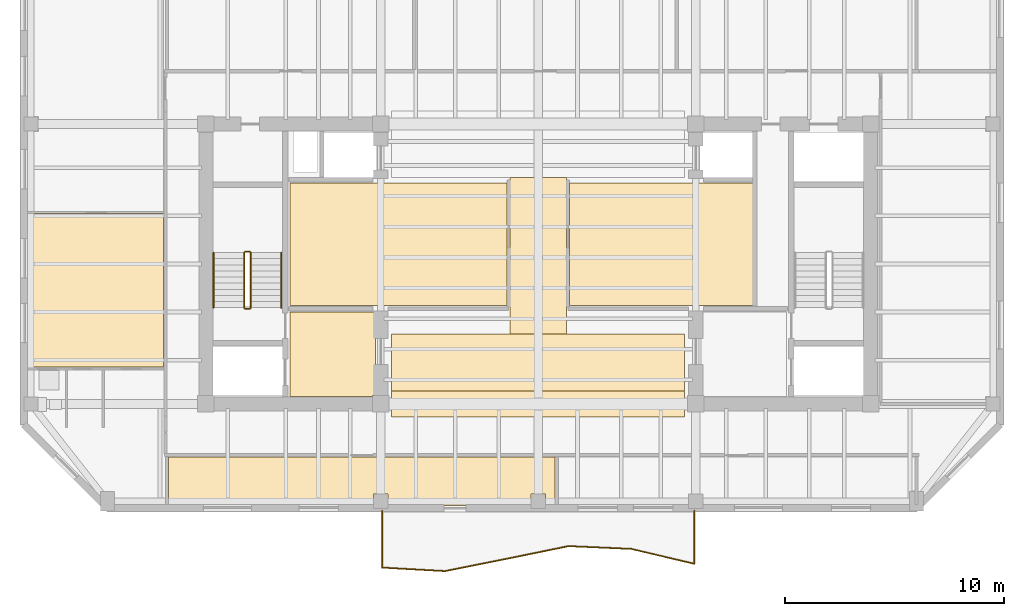
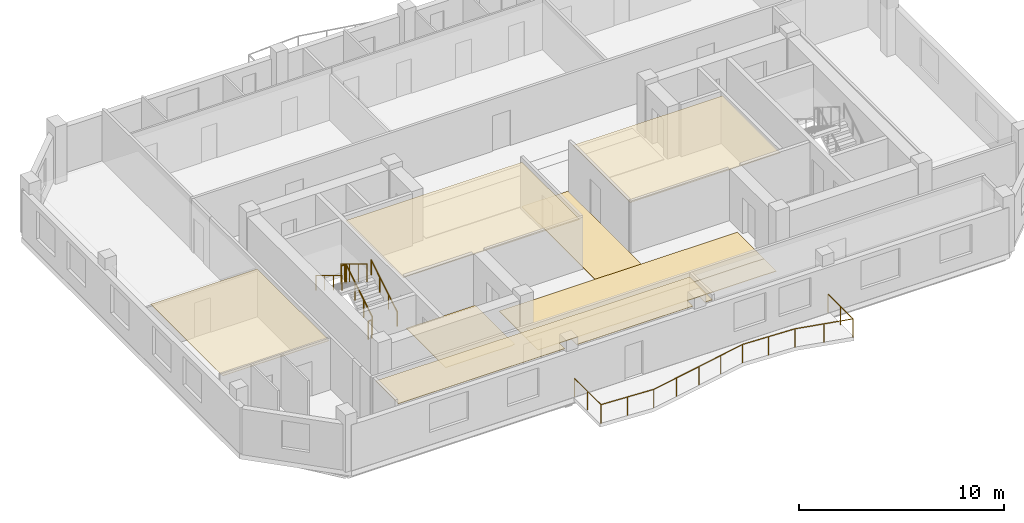
# One storey, part 7 of 10: 8 coverings, 7 railings.
"""IFC4 building model written with IfcOpenShell, lengths in metres."""

import ifcopenshell
import ifcopenshell.guid

model = None  # the IFC model being written
_history = None  # IfcOwnerHistory: only IFC2X3 demands one
_inside = {}  # id of a spatial element -> (the spatial element, [elements in it])
_under = {}  # id of a project, library or spatial element -> (it, [spatial elements below it])
_declared = {}  # id of a project -> (the project, [libraries it declares])
_typed = {}  # id of a type object -> (the type object, [elements of that type])
_made_of = {}  # id of a material, layer set ... -> (it, [elements and type objects made of it])


def new_model(schema):
    """Start an empty IFC model of exactly this schema.

    Asked for "IFC4X3", IfcOpenShell would pick the latest addendum, in which some entities
    have other attributes; the version numbers below select the first issue.
    IFC2X3 requires an IfcOwnerHistory on every rooted entity: one is made here for all.
    """
    global model, _history
    if schema == "IFC4X3":
        model = ifcopenshell.file(schema_version=(4, 3, 0, 0))
    else:
        model = ifcopenshell.file(schema=schema)
    _inside.clear()
    _under.clear()
    _declared.clear()
    _typed.clear()
    _made_of.clear()
    _history = None
    if model.schema == "IFC2X3":
        org = make("IfcOrganization", Name="unknown")
        user = make(
            "IfcPersonAndOrganization",
            ThePerson=make("IfcPerson", FamilyName="unknown"),
            TheOrganization=org,
        )
        app = make(
            "IfcApplication",
            ApplicationDeveloper=org,
            Version="unknown",
            ApplicationFullName="unknown",
            ApplicationIdentifier="unknown",
        )
        _history = make(
            "IfcOwnerHistory",
            OwningUser=user,
            OwningApplication=app,
            ChangeAction="ADDED",
            CreationDate=0,
        )
    return model


def make(cls, **values):
    """One entity of the class cls with the attributes given. An attribute that is None is left unset."""
    return model.create_entity(
        cls, **{name: value for name, value in values.items() if value is not None}
    )


def rooted(cls, **values):
    """An entity with a GlobalId (a new one), such as an element, a storey or a relation."""
    return make(cls, GlobalId=ifcopenshell.guid.new(), OwnerHistory=_history, **values)


def si_unit(unit_type, name, prefix=None):
    """IfcSIUnit, for example si_unit("LENGTHUNIT", "METRE", prefix="MILLI")."""
    return make("IfcSIUnit", UnitType=unit_type, Prefix=prefix, Name=name)


def assignment(units):
    """IfcUnitAssignment: the units of a project."""
    return None if units is None else make("IfcUnitAssignment", Units=units)


def point(xyz):
    """IfcCartesianPoint."""
    return None if xyz is None else make("IfcCartesianPoint", Coordinates=xyz)


def direction(xyz):
    """IfcDirection."""
    return None if xyz is None else make("IfcDirection", DirectionRatios=xyz)


def frame(location, z_axis=None, x_axis=None):
    """IfcAxis2Placement3D, a coordinate frame: its origin and axes. An axis left out is left unset."""
    return make(
        "IfcAxis2Placement3D",
        Location=point(location),
        Axis=direction(z_axis),
        RefDirection=direction(x_axis),
    )


def frame_2d(location, x_axis=None):
    """IfcAxis2Placement2D, a coordinate frame in the plane: its origin and x axis."""
    return make(
        "IfcAxis2Placement2D", Location=point(location), RefDirection=direction(x_axis)
    )


def origin():
    """The frame at (0, 0, 0) with its axes left unset."""
    return frame((0.0, 0.0, 0.0))


def origin_2d():
    """The frame at (0, 0) in the plane with its x axis left unset."""
    return frame_2d((0.0, 0.0))


def place(relative_to, where):
    """IfcLocalPlacement: puts the frame where relative to a parent placement (None: the world)."""
    return make(
        "IfcLocalPlacement", PlacementRelTo=relative_to, RelativePlacement=where
    )


def context(
    kind, dimensions, precision=None, world=None, true_north=None, identifier=None
):
    """IfcGeometricRepresentationContext, for example the 3D "Model" context."""
    return make(
        "IfcGeometricRepresentationContext",
        ContextIdentifier=identifier,
        ContextType=kind,
        CoordinateSpaceDimension=dimensions,
        Precision=precision,
        WorldCoordinateSystem=world,
        TrueNorth=true_north,
    )


def subcontext(parent, identifier, kind, view, scale=None):
    """IfcGeometricRepresentationSubContext, for example "Body" below "Model"."""
    return make(
        "IfcGeometricRepresentationSubContext",
        ContextIdentifier=identifier,
        ContextType=kind,
        ParentContext=parent,
        TargetScale=scale,
        TargetView=view,
    )


def project(units=None, contexts=None):
    """IfcProject with its units and contexts."""
    return rooted(
        "IfcProject",
        Name="project",
        RepresentationContexts=contexts,
        UnitsInContext=assignment(units),
    )


def spatial(cls, under=None, at=None, **own):
    """A site, building, storey or space (cls), placed at a placement, below another one or the project."""
    s = rooted(cls, ObjectPlacement=at, **own)
    if under is not None:
        _under.setdefault(under.id(), (under, []))[1].append(s)
    return s


def polyline(points):
    """IfcPolyline through the points."""
    return make("IfcPolyline", Points=[point(p) for p in points])


def profile(cls, at=None, kind="AREA", **sizes):
    """A parametric profile (cls). Its sizes go by their IFC names, for example OverallWidth=200.0."""
    return make(cls, ProfileType=kind, Position=at, **sizes)


def circle(**sizes):
    """IfcCircleProfileDef."""
    return profile("IfcCircleProfileDef", **sizes)


def outline(outer, holes=None, kind="AREA"):
    """IfcArbitraryClosedProfileDef: a profile drawn as a closed curve; with holes, ...WithVoids."""
    if holes is None:
        return make("IfcArbitraryClosedProfileDef", ProfileType=kind, OuterCurve=outer)
    return make(
        "IfcArbitraryProfileDefWithVoids",
        ProfileType=kind,
        OuterCurve=outer,
        InnerCurves=holes,
    )


def extrude(swept, where, along, depth):
    """IfcExtrudedAreaSolid: the profile swept, set in the frame where, extruded along a direction by depth."""
    return make(
        "IfcExtrudedAreaSolid",
        SweptArea=swept,
        Position=where,
        ExtrudedDirection=direction(along),
        Depth=depth,
    )


def shape(context_of_items, identifier, shape_type, items):
    """IfcShapeRepresentation: the items that make up one representation, for example the "Body"."""
    return make(
        "IfcShapeRepresentation",
        ContextOfItems=context_of_items,
        RepresentationIdentifier=identifier,
        RepresentationType=shape_type,
        Items=items,
    )


def material(Name=None, Category=None):
    """IfcMaterial."""
    return make("IfcMaterial", Name=Name, Category=Category)


def layer(
    of_material, thickness, ventilated=None, Name=None, Category=None, Priority=None
):
    """IfcMaterialLayer: one layer of a wall or slab, of a material (None: an air gap)."""
    return make(
        "IfcMaterialLayer",
        Material=of_material,
        LayerThickness=thickness,
        IsVentilated=ventilated,
        Name=Name,
        Category=Category,
        Priority=Priority,
    )


def layer_set(layers, Name=None):
    """IfcMaterialLayerSet."""
    return make("IfcMaterialLayerSet", MaterialLayers=layers, LayerSetName=Name)


def made_of(thing, what):
    """Note that an element or type object is made of a material, layer set ...; save() writes the relation."""
    if what is not None:
        _made_of.setdefault(what.id(), (what, []))[1].append(thing)
    return thing


def type_object(cls, material=None, **own):
    """A type object (cls), such as IfcWallType, which elements share."""
    return made_of(rooted(cls, **own), material)


def element(
    cls,
    number,
    at=None,
    inside=None,
    cuts=None,
    type_object=None,
    material=None,
    context=None,
    identifier="Body",
    shape_type=None,
    held_by="IfcProductDefinitionShape",
    body=None,
    shapes=None,
    **own,
):
    """One element of the class cls, such as IfcWall. Its Tag is "e" and its number.

    at: its placement. inside: the storey or other place that contains it. cuts: it is an
    opening in that element (IfcRelVoidsElement). A single representation is given by context,
    identifier, shape_type and body (its items); several are given by shapes. held_by: the class
    of the entity that holds the representations. save() writes the other relations.
    """
    e = rooted(cls, Tag="e%d" % number, ObjectPlacement=at, **own)
    if body is not None:
        shapes = [shape(context, identifier, shape_type, body)]
    if shapes is not None:
        e.Representation = make(held_by, Representations=shapes)
    if inside is not None:
        _inside.setdefault(inside.id(), (inside, []))[1].append(e)
    if cuts is not None:
        rooted(
            "IfcRelVoidsElement", RelatingBuildingElement=cuts, RelatedOpeningElement=e
        )
    if type_object is not None:
        _typed.setdefault(type_object.id(), (type_object, []))[1].append(e)
    return made_of(e, material)


def aggregate(whole, parts):
    """IfcRelAggregates: a whole, such as a stair, and the parts it consists of."""
    return rooted("IfcRelAggregates", RelatingObject=whole, RelatedObjects=parts)


def save(model, path):
    """Write the relations noted so far, then the file.

    IfcRelAggregates (storeys below a building ...), IfcRelContainedInSpatialStructure (elements
    in a storey), IfcRelDefinesByType, IfcRelAssociatesMaterial and IfcRelDeclares: one each for
    every whole, place, type object, material and project.
    """
    for whole, parts in _under.values():
        aggregate(whole, parts)
    for where, things in _inside.values():
        rooted(
            "IfcRelContainedInSpatialStructure",
            RelatedElements=things,
            RelatingStructure=where,
        )
    for kind, things in _typed.values():
        rooted("IfcRelDefinesByType", RelatedObjects=things, RelatingType=kind)
    for what, things in _made_of.values():
        rooted("IfcRelAssociatesMaterial", RelatedObjects=things, RelatingMaterial=what)
    for by, libraries in _declared.values():
        rooted("IfcRelDeclares", RelatingContext=by, RelatedDefinitions=libraries)
    model.write(path)


model = new_model("IFC4")

# Units and contexts
model_context = context("Model", 3, precision=1e-05, world=origin(), true_north=direction((0.0, 1.0)))
body_context = subcontext(model_context, "Body", "Model", "MODEL_VIEW")
ifc_project = project(units=[si_unit("LENGTHUNIT", "METRE"), si_unit("AREAUNIT", "SQUARE_METRE"), si_unit("VOLUMEUNIT", "CUBIC_METRE"), si_unit("PLANEANGLEUNIT", "RADIAN"), si_unit("MASSUNIT", "GRAM", prefix="KILO")], contexts=[model_context])

# Site, building, storey
site_placement = place(None, origin())
site = spatial("IfcSite", under=ifc_project, at=site_placement, CompositionType="ELEMENT")
building_placement = place(site_placement, origin())
building = spatial("IfcBuilding", under=site, at=building_placement, Name="Kranthara Brick Stack", CompositionType="ELEMENT")
storey_placement = place(building_placement, frame((0.0, 0.0, 272.10009765625)))
storey = spatial("IfcBuildingStorey", under=building, at=storey_placement, Name="L72", CompositionType="ELEMENT", Elevation=272.10009765625)

# Coverings
ifc_material_1 = material(Name="Perforated mineral-fibre acoustic ceiling tile", Category="other")
ifc_layer_1 = layer(ifc_material_1, 0.02490234375)
ifc_layer_set_1 = layer_set([ifc_layer_1], Name="Perforated mineral-fibre acoustic ceiling tile")
covering_type_1 = type_object("IfcCoveringType", Name="COV-CEIL-ACOUSTIC", PredefinedType="CEILING", material=ifc_layer_set_1)
covering_1_placement = place(storey_placement, frame((0.0, 0.0, 2.829833984375)))
element("IfcCovering", 1, at=covering_1_placement, inside=storey, type_object=covering_type_1, Name="L72 L72 Sky Club Library and Study Acoustic Ceiling", PredefinedType="CEILING", context=body_context, shape_type="SweptSolid", body=[
    extrude(outline(polyline([(26.570068359375, 25.300048828125), (26.570068359375, 30.89990234375), (16.64990234375, 30.89990234375), (16.64990234375, 25.300048828125), (26.570068359375, 25.300048828125)])), origin(), (0.0, 0.0, 1.0), 0.025146484375),
])
covering_2_placement = place(storey_placement, frame((0.0, 0.0, 2.829833984375)))
element("IfcCovering", 2, at=covering_2_placement, inside=storey, type_object=covering_type_1, Name="L72 L72 Sky Club Lounge and Salon Acoustic Ceiling", PredefinedType="CEILING", context=body_context, shape_type="SweptSolid", body=[
    extrude(outline(polyline([(37.8798828125, 25.300048828125), (37.8798828125, 30.89990234375), (29.429931640625, 30.89990234375), (29.429931640625, 25.300048828125), (37.8798828125, 25.300048828125)])), origin(), (0.0, 0.0, 1.0), 0.025146484375),
])
covering_3_placement = place(storey_placement, frame((0.0, 0.0, 2.829833984375)))
element("IfcCovering", 3, at=covering_3_placement, inside=storey, type_object=covering_type_1, Name="L72 L72 Sky Club Observation Lounge 1 Acoustic Ceiling", PredefinedType="CEILING", context=body_context, shape_type="SweptSolid", body=[
    extrude(outline(polyline([(11.10009765625, 18.3798828125), (28.76611328125, 18.3798828125), (28.76611328125, 16.14990234375), (28.3349609375, 16.14990234375), (28.3349609375, 16.68505859375), (27.6650390625, 16.68505859375), (27.6650390625, 16.14990234375), (21.135009765625, 16.14990234375), (21.135009765625, 16.68505859375), (20.465087890625, 16.68505859375), (20.465087890625, 16.14990234375), (11.10009765625, 16.14990234375), (11.10009765625, 18.3798828125)])), origin(), (0.0, 0.0, 1.0), 0.025146484375),
])
covering_4_placement = place(storey_placement, frame((0.0, 0.0, 2.829833984375)))
element("IfcCovering", 4, at=covering_4_placement, inside=storey, type_object=covering_type_1, Name="L72 Unit L72D Private Study Room Acoustic Ceiling", PredefinedType="CEILING", context=body_context, shape_type="SweptSolid", body=[
    extrude(outline(polyline([(10.860107421875, 22.47998046875), (10.860107421875, 29.506103515625), (4.8701171875, 29.506103515625), (4.8701171875, 22.47998046875), (10.860107421875, 22.47998046875)])), origin(), (0.0, 0.0, 1.0), 0.025146484375),
])
ifc_material_2 = material(Name="Honed terrazzo and porcelain floor finish", Category="stone")
ifc_layer_2 = layer(ifc_material_2, 0.030029296875)
ifc_layer_set_2 = layer_set([ifc_layer_2], Name="Honed terrazzo and porcelain floor finish")
covering_type_2 = type_object("IfcCoveringType", Name="COV-FLOR-STONE", PredefinedType="FLOORING", material=ifc_layer_set_2)
covering_5_placement = place(storey_placement, origin())
element("IfcCovering", 5, at=covering_5_placement, inside=storey, type_object=covering_type_2, Name="L72 Lift Lobby Stone Flooring", PredefinedType="FLOORING", context=body_context, shape_type="SweptSolid", body=[
    extrude(outline(polyline([(16.64990234375, 21.14990234375), (16.64990234375, 25.0), (20.550048828125, 25.0), (20.550048828125, 21.18505859375), (20.4150390625, 21.18505859375), (20.4150390625, 21.14990234375), (16.64990234375, 21.14990234375)])), origin(), (0.0, 0.0, 1.0), 0.02978515625),
])
covering_6_placement = place(storey_placement, origin())
element("IfcCovering", 6, at=covering_6_placement, inside=storey, type_object=covering_type_2, Name="L72 Lift Lobby Stone Flooring", PredefinedType="FLOORING", context=body_context, shape_type="SweptSolid", body=[
    extrude(outline(polyline([(34.699951171875, 21.39990234375), (34.699951171875, 24.0), (21.300048828125, 24.0), (21.300048828125, 21.39990234375), (34.699951171875, 21.39990234375)])), origin(), (0.0, 0.0, 1.0), 0.02978515625),
])
covering_7_placement = place(storey_placement, origin())
element("IfcCovering", 7, at=covering_7_placement, inside=storey, type_object=covering_type_2, Name="L72 Lift Lobby Stone Flooring", PredefinedType="FLOORING", context=body_context, shape_type="SweptSolid", body=[
    extrude(outline(polyline([(29.300048828125, 24.0), (26.699951171875, 24.0), (26.699951171875, 31.14990234375), (29.300048828125, 31.14990234375), (29.300048828125, 24.0)])), origin(), (0.0, 0.0, 1.0), 0.02978515625),
])
covering_8_placement = place(storey_placement, origin())
element("IfcCovering", 8, at=covering_8_placement, inside=storey, type_object=covering_type_2, Name="L72 Lift Lobby Stone Flooring", PredefinedType="FLOORING", context=body_context, shape_type="SweptSolid", body=[
    extrude(outline(polyline([(34.699951171875, 20.199951171875), (21.300048828125, 20.199951171875), (21.300048828125, 21.39990234375), (34.699951171875, 21.39990234375), (34.699951171875, 20.199951171875)])), origin(), (0.0, 0.0, 1.0), 0.02978515625),
])

# Railings
ifc_material_3 = material(Name="Bronze anodised aluminium and laminated glass balustrade", Category="aluminium")
railing_type_1 = type_object("IfcRailingType", Name="RL-BALC-1120", PredefinedType="BALUSTRADE", material=ifc_material_3)
railing_1_placement = place(storey_placement, frame((35.139892578125, 15.909912109375, 0.0)))
element("IfcRailing", 9, at=railing_1_placement, inside=storey, type_object=railing_type_1, Name="L72 South Rippling Balcony Balustrade", PredefinedType="BALUSTRADE", context=body_context, shape_type="SweptSolid", body=[
    extrude(circle(Radius=0.02392578125, at=origin_2d()), frame((0.0, 0.0, 1.09619140625), z_axis=(0.000201470732, -0.999999979705, 0.0), x_axis=(0.999999979705, 0.000201470732, 0.0)), (0.0, 0.0, 1.0), 2.423583984375),
    extrude(circle(Radius=0.02392578125, at=origin_2d()), frame((0.00048828125, -2.423583984375, 1.09619140625), z_axis=(-0.973048153081, 0.230602020344, 0.0), x_axis=(-0.230602020344, -0.973048153081, 0.0)), (0.0, 0.0, 1.0), 2.960205078125),
    extrude(circle(Radius=0.02392578125, at=origin_2d()), frame((-2.8798828125, -1.740966796875, 1.09619140625), z_axis=(-0.999033492533, 0.04395544105, 0.0), x_axis=(-0.04395544105, -0.999033492533, 0.0)), (0.0, 0.0, 1.0), 2.882568359375),
    extrude(circle(Radius=0.02392578125, at=origin_2d()), frame((-5.759765625, -1.6142578125, 1.09619140625), z_axis=(-0.97955244274, -0.201188995528, 0.0), x_axis=(0.201188995528, -0.97955244274, 0.0)), (0.0, 0.0, 1.0), 2.8212890625),
    extrude(circle(Radius=0.02392578125, at=origin_2d()), frame((-8.5234375, -2.181884765625, 1.09619140625), z_axis=(-0.980625440098, -0.19589218012, 0.0), x_axis=(0.19589218012, -0.980625440098, 0.0)), (0.0, 0.0, 1.0), 2.93505859375),
    extrude(circle(Radius=0.02392578125, at=origin_2d()), frame((-11.401611328125, -2.7568359375, 1.09619140625), z_axis=(-0.998432348667, 0.055971824482, 0.0), x_axis=(-0.055971824482, -0.998432348667, 0.0)), (0.0, 0.0, 1.0), 2.88330078125),
    extrude(circle(Radius=0.02392578125, at=origin_2d()), frame((-14.2802734375, -2.595458984375, 1.09619140625), z_axis=(0.000188129053, 0.999999982304, 0.0), x_axis=(-0.999999982304, 0.000188129053, 0.0)), (0.0, 0.0, 1.0), 2.595458984375),
    extrude(circle(Radius=0.02099609375, at=origin_2d()), origin(), (0.0, 0.0, 1.0), 1.072021484375),
    extrude(circle(Radius=0.02099609375, at=origin_2d()), frame((0.000244140625, -1.2119140625, 0.0)), (0.0, 0.0, 1.0), 1.072021484375),
    extrude(circle(Radius=0.02099609375, at=origin_2d()), frame((0.00048828125, -2.423583984375, 0.0)), (0.0, 0.0, 1.0), 1.072021484375),
    extrude(circle(Radius=0.02099609375, at=origin_2d()), frame((-1.439697265625, -2.082275390625, 0.0)), (0.0, 0.0, 1.0), 1.072021484375),
    extrude(circle(Radius=0.02099609375, at=origin_2d()), frame((-2.8798828125, -1.740966796875, 0.0)), (0.0, 0.0, 1.0), 1.072021484375),
    extrude(circle(Radius=0.02099609375, at=origin_2d()), frame((-4.31982421875, -1.677734375, 0.0)), (0.0, 0.0, 1.0), 1.072021484375),
    extrude(circle(Radius=0.02099609375, at=origin_2d()), frame((-5.759765625, -1.6142578125, 0.0)), (0.0, 0.0, 1.0), 1.072021484375),
    extrude(circle(Radius=0.02099609375, at=origin_2d()), frame((-7.1416015625, -1.89794921875, 0.0)), (0.0, 0.0, 1.0), 1.072021484375),
    extrude(circle(Radius=0.02099609375, at=origin_2d()), frame((-8.5234375, -2.181884765625, 0.0)), (0.0, 0.0, 1.0), 1.072021484375),
    extrude(circle(Radius=0.02099609375, at=origin_2d()), frame((-9.96240234375, -2.46923828125, 0.0)), (0.0, 0.0, 1.0), 1.072021484375),
    extrude(circle(Radius=0.02099609375, at=origin_2d()), frame((-11.401611328125, -2.7568359375, 0.0)), (0.0, 0.0, 1.0), 1.072021484375),
    extrude(circle(Radius=0.02099609375, at=origin_2d()), frame((-12.8408203125, -2.67626953125, 0.0)), (0.0, 0.0, 1.0), 1.072021484375),
    extrude(circle(Radius=0.02099609375, at=origin_2d()), frame((-14.2802734375, -2.595458984375, 0.0)), (0.0, 0.0, 1.0), 1.072021484375),
    extrude(circle(Radius=0.02099609375, at=origin_2d()), frame((-14.280029296875, -1.2978515625, 0.0)), (0.0, 0.0, 1.0), 1.072021484375),
    extrude(circle(Radius=0.02099609375, at=origin_2d()), frame((-14.27978515625, 0.0, 0.0)), (0.0, 0.0, 1.0), 1.072021484375),
])
ifc_material_4 = material(Name="Painted galvanized steel stair guardrail", Category="steel")
railing_type_2 = type_object("IfcRailingType", Name="RL-STAIR-GUARD-1100", PredefinedType="GUARDRAIL", material=ifc_material_4)
railing_2_placement = place(storey_placement, frame((14.85009765625, 25.199951171875, 0.169921875)))
element("IfcRailing", 10, at=railing_2_placement, inside=storey, type_object=railing_type_2, Name="L72 ST01 stair guard 1", PredefinedType="GUARDRAIL", context=body_context, shape_type="SweptSolid", body=[
    extrude(circle(Radius=0.02392578125, at=origin_2d()), frame((0.0, 0.0, 1.076171875), z_axis=(0.0, 0.85478489116, 0.518982456201), x_axis=(-1.0, 0.0, 0.0)), (0.0, 0.0, 1.0), 2.9482421875),
    extrude(circle(Radius=0.02099609375, at=origin_2d()), origin(), (0.0, 0.0, 1.0), 1.052001953125),
    extrude(circle(Radius=0.02099609375, at=origin_2d()), frame((0.0, 0.840087890625, 0.510009765625)), (0.0, 0.0, 1.0), 1.052001953125),
    extrude(circle(Radius=0.02099609375, at=origin_2d()), frame((0.0, 1.679931640625, 1.02001953125)), (0.0, 0.0, 1.0), 1.052001953125),
    extrude(circle(Radius=0.02099609375, at=origin_2d()), frame((0.0, 2.52001953125, 1.530029296875)), (0.0, 0.0, 1.0), 1.052001953125),
])
railing_3_placement = place(storey_placement, frame((14.800048828125, 27.77001953125, 1.699951171875)))
element("IfcRailing", 11, at=railing_3_placement, inside=storey, type_object=railing_type_2, Name="L72 ST01 stair guard 2", PredefinedType="GUARDRAIL", context=body_context, shape_type="SweptSolid", body=[
    extrude(circle(Radius=0.02392578125, at=origin_2d()), frame((0.0, 0.0, 1.076171875), z_axis=(-1.0, 0.0, 0.0), x_axis=(0.0, -1.0, 0.0)), (0.0, 0.0, 1.0), 0.199951171875),
    extrude(circle(Radius=0.02099609375, at=origin_2d()), origin(), (0.0, 0.0, 1.0), 1.052001953125),
    extrude(circle(Radius=0.02099609375, at=origin_2d()), frame((-0.199951171875, 0.0, 0.0)), (0.0, 0.0, 1.0), 1.052001953125),
])
railing_4_placement = place(storey_placement, frame((14.550048828125, 27.719970703125, 1.869873046875)))
element("IfcRailing", 12, at=railing_4_placement, inside=storey, type_object=railing_type_2, Name="L72 ST01 stair guard 3", PredefinedType="GUARDRAIL", context=body_context, shape_type="SweptSolid", body=[
    extrude(circle(Radius=0.02392578125, at=origin_2d()), frame((0.0, 0.0, 1.076171875), z_axis=(0.0, -0.85478489116, 0.518982456201), x_axis=(1.0, 0.0, 0.0)), (0.0, 0.0, 1.0), 2.9482421875),
    extrude(circle(Radius=0.02099609375, at=origin_2d()), origin(), (0.0, 0.0, 1.0), 1.052001953125),
    extrude(circle(Radius=0.02099609375, at=origin_2d()), frame((0.0, -0.840087890625, 0.510009765625)), (0.0, 0.0, 1.0), 1.052001953125),
    extrude(circle(Radius=0.02099609375, at=origin_2d()), frame((0.0, -1.679931640625, 1.02001953125)), (0.0, 0.0, 1.0), 1.052001953125),
    extrude(circle(Radius=0.02099609375, at=origin_2d()), frame((0.0, -2.52001953125, 1.530029296875)), (0.0, 0.0, 1.0), 1.052001953125),
])
railing_5_placement = place(storey_placement, frame((14.800048828125, 25.14990234375, 0.0)))
element("IfcRailing", 13, at=railing_5_placement, inside=storey, type_object=railing_type_2, Name="L72 ST01 stair guard 4", PredefinedType="GUARDRAIL", context=body_context, shape_type="SweptSolid", body=[
    extrude(circle(Radius=0.02392578125, at=origin_2d()), frame((0.0, 0.0, 1.076171875), z_axis=(-1.0, 0.0, 0.0), x_axis=(0.0, -1.0, 0.0)), (0.0, 0.0, 1.0), 0.199951171875),
    extrude(circle(Radius=0.02099609375, at=origin_2d()), origin(), (0.0, 0.0, 1.0), 1.052001953125),
    extrude(circle(Radius=0.02099609375, at=origin_2d()), frame((-0.199951171875, 0.0, 0.0)), (0.0, 0.0, 1.0), 1.052001953125),
])
ifc_material_5 = material(Name="Brushed stainless steel tubular handrail", Category="steel")
railing_type_3 = type_object("IfcRailingType", Name="RL-STAIR-HAND-900", PredefinedType="HANDRAIL", material=ifc_material_5)
railing_6_placement = place(storey_placement, frame((16.25, 25.199951171875, 0.169921875)))
element("IfcRailing", 14, at=railing_6_placement, inside=storey, type_object=railing_type_3, Name="L72 ST01 stair handrail 1", PredefinedType="HANDRAIL", context=body_context, shape_type="SweptSolid", body=[
    extrude(circle(Radius=0.02392578125, at=origin_2d()), frame((0.0, 0.0, 0.8759765625), z_axis=(0.0, 0.85478489116, 0.518982456201), x_axis=(-1.0, 0.0, 0.0)), (0.0, 0.0, 1.0), 2.9482421875),
    extrude(circle(Radius=0.02099609375, at=origin_2d()), origin(), (0.0, 0.0, 1.0), 0.851806640625),
    extrude(circle(Radius=0.02099609375, at=origin_2d()), frame((0.0, 0.840087890625, 0.510009765625)), (0.0, 0.0, 1.0), 0.851806640625),
    extrude(circle(Radius=0.02099609375, at=origin_2d()), frame((0.0, 1.679931640625, 1.02001953125)), (0.0, 0.0, 1.0), 0.851806640625),
    extrude(circle(Radius=0.02099609375, at=origin_2d()), frame((0.0, 2.52001953125, 1.530029296875)), (0.0, 0.0, 1.0), 0.851806640625),
])
railing_7_placement = place(storey_placement, frame((13.14990234375, 27.719970703125, 1.869873046875)))
element("IfcRailing", 15, at=railing_7_placement, inside=storey, type_object=railing_type_3, Name="L72 ST01 stair handrail 2", PredefinedType="HANDRAIL", context=body_context, shape_type="SweptSolid", body=[
    extrude(circle(Radius=0.02392578125, at=origin_2d()), frame((0.0, 0.0, 0.8759765625), z_axis=(0.0, -0.85478489116, 0.518982456201), x_axis=(1.0, 0.0, 0.0)), (0.0, 0.0, 1.0), 2.9482421875),
    extrude(circle(Radius=0.02099609375, at=origin_2d()), origin(), (0.0, 0.0, 1.0), 0.851806640625),
    extrude(circle(Radius=0.02099609375, at=origin_2d()), frame((0.0, -0.840087890625, 0.510009765625)), (0.0, 0.0, 1.0), 0.851806640625),
    extrude(circle(Radius=0.02099609375, at=origin_2d()), frame((0.0, -1.679931640625, 1.02001953125)), (0.0, 0.0, 1.0), 0.851806640625),
    extrude(circle(Radius=0.02099609375, at=origin_2d()), frame((0.0, -2.52001953125, 1.530029296875)), (0.0, 0.0, 1.0), 0.851806640625),
])

save(model, "model.ifc")
